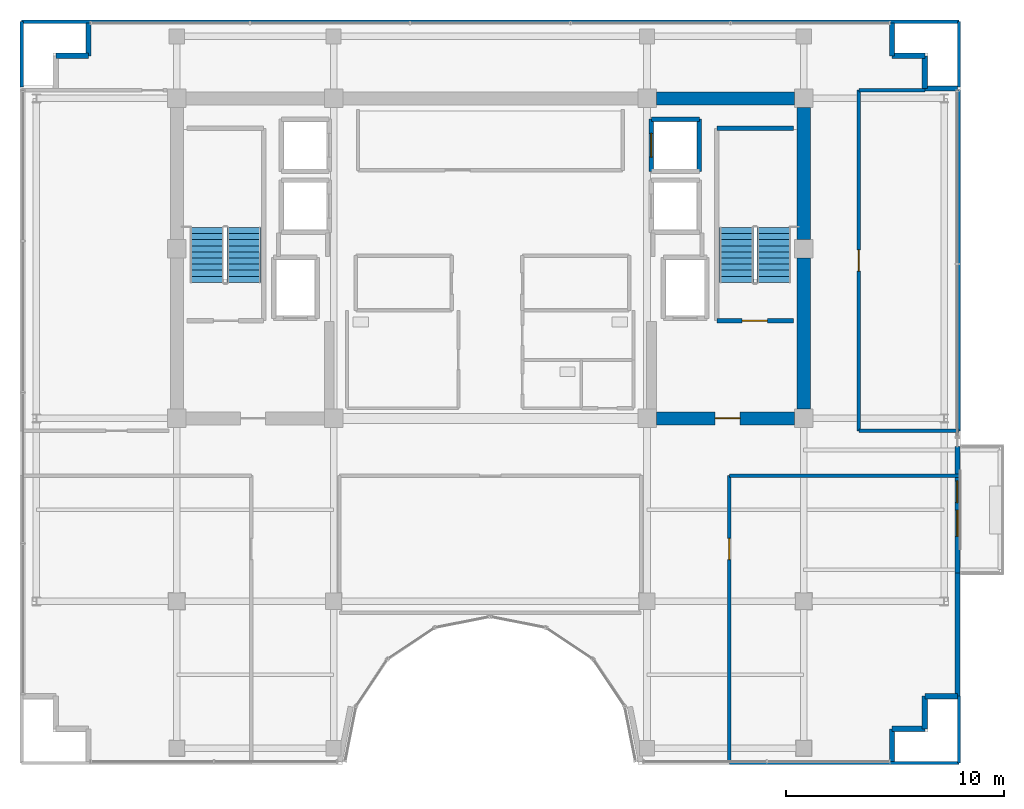
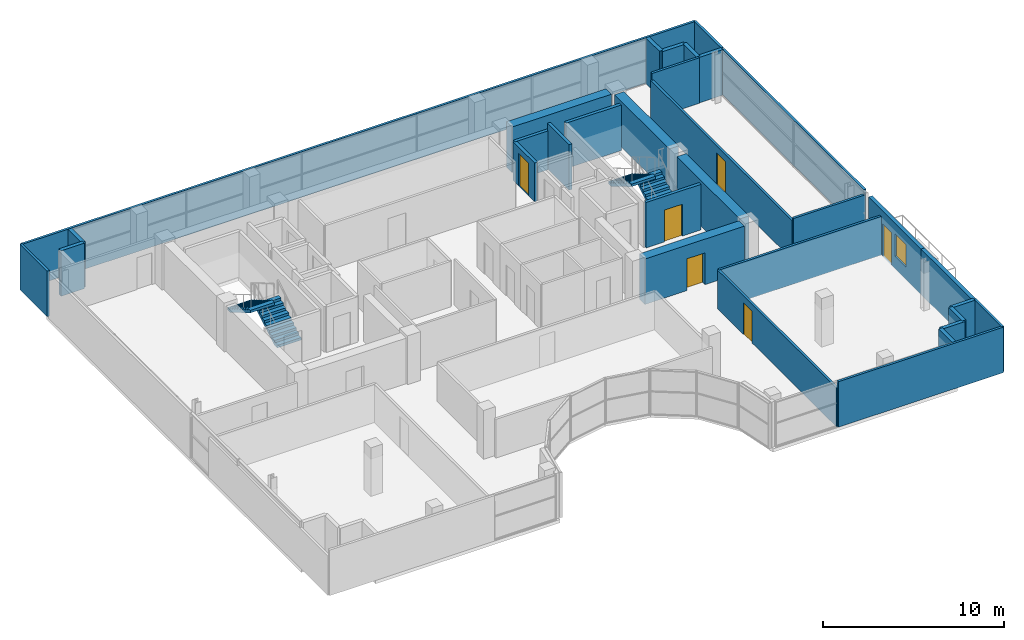
# One storey, part 25 of 29: 32 walls, 6 doors, 4 stair flights, 1 window, 7 openings, 2 elements without a shape of their own.
"""IFC4 building model written with IfcOpenShell, lengths in metres."""

from ifc_helpers import new_model, si_unit, direction, frame, frame_2d, origin, place, context, subcontext, project, spatial, polyline, rectangle, outline, extrude, source, transform, mapped, material, layer, layer_set, type_object, element, fill, aggregate, save


model = new_model("IFC4")

# Units and contexts
model_context = context("Model", 3, precision=1e-05, world=origin(), true_north=direction((0.0, 1.0)))
body_context = subcontext(model_context, "Body", "Model", "MODEL_VIEW")
ifc_project = project(units=[si_unit("LENGTHUNIT", "METRE"), si_unit("AREAUNIT", "SQUARE_METRE"), si_unit("VOLUMEUNIT", "CUBIC_METRE"), si_unit("PLANEANGLEUNIT", "RADIAN"), si_unit("MASSUNIT", "GRAM", prefix="KILO")], contexts=[model_context])

# Site, building, storey
site_placement = place(None, origin())
site = spatial("IfcSite", under=ifc_project, at=site_placement, CompositionType="ELEMENT")
building_placement = place(site_placement, origin())
building = spatial("IfcBuilding", under=site, at=building_placement, Name="Zarnakvel Exchange Tower", CompositionType="ELEMENT")
storey_placement = place(building_placement, frame((0.0, 0.0, 265.0)))
storey = spatial("IfcBuildingStorey", under=building, at=storey_placement, Name="L75", CompositionType="ELEMENT", Elevation=265.0)

# Walls
ifc_material_1 = material(Name="Concrete C50/60", Category="concrete")
ifc_layer_1 = layer(ifc_material_1, 0.60009765625)
ifc_layer_set_1 = layer_set([ifc_layer_1], Name="Concrete C50/60")
wall_type_1 = type_object("IfcWallType", Name="CW-C5", PredefinedType="SHEAR", material=ifc_layer_set_1)
wall_1_placement = place(storey_placement, frame((7.625, 13.5, 0.0), z_axis=(0.0, 0.0, 1.0), x_axis=(1.0, 0.0, 0.0)))
element("IfcWall", 1, at=wall_1_placement, inside=storey, type_object=wall_type_1, Name="L75 Rear Core Shear Wall N3 (CW-C5)", PredefinedType="SHEAR", context=body_context, shape_type="SweptSolid", body=[
    extrude(rectangle(XDim=6.35009765625, YDim=0.60009765625, at=frame_2d((3.175048828125, 0.0))), origin(), (0.0, 0.0, 1.0), 3.074951171875),
])
wall_2_placement = place(storey_placement, frame((14.39990234375, -0.77490234375, 0.0), z_axis=(0.0, 0.0, 1.0), x_axis=(0.0, 1.0, 0.0)))
element("IfcWall", 2, at=wall_2_placement, inside=storey, type_object=wall_type_1, Name="L75 Rear Core Shear Wall E1 (CW-C5)", PredefinedType="SHEAR", context=body_context, shape_type="SweptSolid", body=[
    extrude(rectangle(XDim=6.949951171875, YDim=0.60009765625, at=frame_2d((3.47509765625, 0.0))), origin(), (0.0, 0.0, 1.0), 3.074951171875),
])
wall_3_placement = place(storey_placement, frame((14.39990234375, 7.02490234375, 0.0), z_axis=(0.0, 0.0, 1.0), x_axis=(0.0, 1.0, 0.0)))
element("IfcWall", 3, at=wall_3_placement, inside=storey, type_object=wall_type_1, Name="L75 Rear Core Shear Wall E2 (CW-C5)", PredefinedType="SHEAR", context=body_context, shape_type="SweptSolid", body=[
    extrude(rectangle(XDim=6.050048828125, YDim=0.60009765625, at=frame_2d((3.02490234375, 0.0))), origin(), (0.0, 0.0, 1.0), 3.074951171875),
])

# Wall, opening, door
wall_4_placement = place(storey_placement, frame((13.97509765625, -1.199951171875, 0.0), z_axis=(0.0, 0.0, 1.0), x_axis=(-1.0, 0.0, 0.0)))
wall_4 = element("IfcWall", 4, at=wall_4_placement, inside=storey, type_object=wall_type_1, Name="L75 Rear Core Shear Wall SE (CW-C5)", PredefinedType="SHEAR", context=body_context, shape_type="SweptSolid", body=[
    extrude(rectangle(XDim=6.35009765625, YDim=0.60009765625, at=frame_2d((3.175048828125, 0.0))), origin(), (0.0, 0.0, 1.0), 3.074951171875),
])
opening_1_placement = place(wall_4_placement, frame((2.5, 0.0, 0.0)))
opening_1 = element("IfcOpeningElement", 5, at=opening_1_placement, cuts=wall_4, Name="Opening D-L75-04", PredefinedType="OPENING", context=body_context, shape_type="SweptSolid", body=[
    extrude(rectangle(XDim=1.14990234375, YDim=2.14990234375, at=frame_2d((0.574951171875, 1.074951171875))), frame((0.0, 0.31005859375, 0.0), z_axis=(0.0, -1.0, 0.0), x_axis=(1.0, 0.0, 0.0)), (0.0, 0.0, 1.0), 0.6201171875),
])
ifc_material_2 = material(Name="Painted Galvanised Steel S355", Category="steel")
door_type_1 = type_object("IfcDoorType", Name="DT-04", OperationType="NOTDEFINED", PredefinedType="DOOR", material=ifc_material_2)
shared_shape_1 = source(origin(), body_context, "Body", "SweptSolid", [
    extrude(rectangle(XDim=1.14990234375, YDim=2.14990234375, at=frame_2d((0.574951171875, 1.074951171875))), frame((0.0, 0.02490234375, 0.0), z_axis=(0.0, -1.0, 0.0), x_axis=(1.0, 0.0, 0.0)), (0.0, 0.0, 1.0), 0.050048828125),
])
door_1_placement = place(opening_1_placement, origin())
door_1 = element("IfcDoor", 6, at=door_1_placement, inside=storey, type_object=door_type_1, Name="L75 Firefighting Lobby East Door D-L75-04", OperationType="SINGLE_SWING_RIGHT", OverallHeight=2.14990234375, OverallWidth=1.14990234375, PredefinedType="DOOR", context=body_context, shape_type="MappedRepresentation", body=[
    mapped(shared_shape_1, transform((0.0, 0.0, 0.0), x_axis=(1.0, 0.0, 0.0), y_axis=(0.0, 1.0, 0.0), z_axis=(0.0, 0.0, 1.0), scale=1.0)),
])
fill(opening_1, door_1)

# Wall, openings, door, window
ifc_material_3 = material(Name="Precast concrete C40/50", Category="concrete")
ifc_layer_2 = layer(ifc_material_3, 0.239990234375)
ifc_layer_set_2 = layer_set([ifc_layer_2], Name="Precast concrete C40/50")
wall_type_2 = type_object("IfcWallType", Name="EW-02", PredefinedType="SOLIDWALL", material=ifc_layer_set_2)
wall_5_placement = place(storey_placement, frame((21.4599609375, -2.5, 0.0), z_axis=(0.0, 0.0, 1.0), x_axis=(0.0, -1.0, 0.0)))
wall_5 = element("IfcWall", 7, at=wall_5_placement, inside=storey, type_object=wall_type_2, Name="L75 Exterior Precast Spandrel Wall EW-BAL-L75-E (EW-02)", PredefinedType="SOLIDWALL", context=body_context, shape_type="SweptSolid", body=[
    extrude(rectangle(XDim=5.800048828125, YDim=0.239990234375, at=frame_2d((2.89990234375, 0.0))), origin(), (0.0, 0.0, 1.0), 3.074951171875),
])
opening_2_placement = place(wall_5_placement, frame((1.56591796875, 0.0, 0.0)))
opening_2 = element("IfcOpeningElement", 8, at=opening_2_placement, cuts=wall_5, Name="Opening BD-L75-01", PredefinedType="OPENING", context=body_context, shape_type="SweptSolid", body=[
    extrude(rectangle(XDim=1.0, YDim=2.199951171875, at=frame_2d((0.5, 1.10009765625))), frame((0.0, 0.1298828125, 0.0), z_axis=(0.0, -1.0, 0.0), x_axis=(1.0, 0.0, 0.0)), (0.0, 0.0, 1.0), 0.260009765625),
])
opening_3_placement = place(wall_5_placement, frame((2.916015625, 0.0, 0.85009765625)))
opening_3 = element("IfcOpeningElement", 9, at=opening_3_placement, cuts=wall_5, Name="Opening WN-04", PredefinedType="OPENING", context=body_context, shape_type="SweptSolid", body=[
    extrude(rectangle(XDim=1.199951171875, YDim=1.5, at=frame_2d((0.60009765625, 0.75))), frame((0.0, 0.1298828125, 0.0), z_axis=(0.0, -1.0, 0.0), x_axis=(1.0, 0.0, 0.0)), (0.0, 0.0, 1.0), 0.260009765625),
])
ifc_material_4 = material(Name="Architectural Bronze Anodised Aluminium", Category="aluminium")
door_type_2 = type_object("IfcDoorType", Name="DT-09", OperationType="NOTDEFINED", PredefinedType="DOOR", material=ifc_material_4)
shared_shape_2 = source(origin(), body_context, "Body", "SweptSolid", [
    extrude(rectangle(XDim=1.0, YDim=2.199951171875, at=frame_2d((0.5, 1.10009765625))), frame((0.0, 0.02490234375, 0.0), z_axis=(0.0, -1.0, 0.0), x_axis=(1.0, 0.0, 0.0)), (0.0, 0.0, 1.0), 0.050048828125),
])
door_2_placement = place(opening_2_placement, origin())
door_2 = element("IfcDoor", 10, at=door_2_placement, inside=storey, type_object=door_type_2, Name="L75 Planted Loggia Balcony Door BD-L75-01", OperationType="SINGLE_SWING_LEFT", OverallHeight=2.199951171875, OverallWidth=1.0, PredefinedType="DOOR", context=body_context, shape_type="MappedRepresentation", body=[
    mapped(shared_shape_2, transform((0.0, 0.0, 0.0), x_axis=(1.0, 0.0, 0.0), y_axis=(0.0, 1.0, 0.0), z_axis=(0.0, 0.0, 1.0), scale=1.0)),
])
fill(opening_2, door_2)
ifc_material_5 = material(Name="Double Low-E Laminated Vision Glass", Category="glass")
window_type = type_object("IfcWindowType", Name="WN-04", PartitioningType="SINGLE_PANEL", PredefinedType="WINDOW", material=ifc_material_5)
shared_shape_3 = source(origin(), body_context, "Body", "SweptSolid", [
    extrude(rectangle(XDim=1.199951171875, YDim=1.5, at=frame_2d((0.60009765625, 0.75))), frame((0.0, 0.030029296875, 0.0), z_axis=(0.0, -1.0, 0.0), x_axis=(1.0, 0.0, 0.0)), (0.0, 0.0, 1.0), 0.06005859375),
])
window_placement = place(opening_3_placement, origin())
window = element("IfcWindow", 11, at=window_placement, inside=storey, type_object=window_type, Name="L75 Loggia Daylight Window (WN-04)", OverallHeight=1.5, OverallWidth=1.199951171875, PartitioningType="SINGLE_PANEL", PredefinedType="WINDOW", context=body_context, shape_type="MappedRepresentation", body=[
    mapped(shared_shape_3, transform((0.0, 0.0, 0.0), x_axis=(1.0, 0.0, 0.0), y_axis=(0.0, 1.0, 0.0), z_axis=(0.0, 0.0, 1.0), scale=1.0)),
])
fill(opening_3, window)

# Walls
for number, where, z_axis, x_axis, name in (
    (12, (-18.4599609375, 15.4599609375, 0.0), (0.0, 0.0, 1.0), (-1.0, 0.0, 0.0), "L75 Exterior Precast Spandrel Wall EWC-L75-03 (EW-02)"),
    (13, (-18.4599609375, 16.9599609375, 0.0), (0.0, 0.0, 1.0), (0.0, -1.0, 0.0), "L75 Exterior Precast Spandrel Wall EWC-L75-04 (EW-02)"),
    (14, (18.4599609375, 15.4599609375, 0.0), (0.0, 0.0, 1.0), (0.0, 1.0, 0.0), "L75 Exterior Precast Spandrel Wall EWC-L75-05 (EW-02)"),
    (15, (19.9599609375, 15.4599609375, 0.0), (0.0, 0.0, 1.0), (-1.0, 0.0, 0.0), "L75 Exterior Precast Spandrel Wall EWC-L75-06 (EW-02)"),
    (16, (19.9599609375, 13.9599609375, 0.0), (0.0, 0.0, 1.0), (0.0, 1.0, 0.0), "L75 Exterior Precast Spandrel Wall EWC-L75-07 (EW-02)"),
    (17, (21.4599609375, 13.9599609375, 0.0), (0.0, 0.0, 1.0), (-1.0, 0.0, 0.0), "L75 Exterior Precast Spandrel Wall EWC-L75-08 (EW-02)"),
):
    element("IfcWall", number, at=place(storey_placement, frame(where, z_axis=z_axis, x_axis=x_axis)), inside=storey, type_object=wall_type_2, Name=name, PredefinedType="SOLIDWALL", context=body_context, shape_type="SweptSolid", body=[
        extrude(rectangle(XDim=1.5, YDim=0.239990234375, at=frame_2d((0.75, 0.0))), origin(), (0.0, 0.0, 1.0), 3.074951171875),
    ])
wall_6_placement = place(storey_placement, frame((21.4599609375, -13.9599609375, 0.0), z_axis=(0.0, 0.0, 1.0), x_axis=(0.0, 1.0, 0.0)))
element("IfcWall", 18, at=wall_6_placement, inside=storey, type_object=wall_type_2, Name="L75 Exterior Precast Spandrel Wall EWC-L75-10 (EW-02)", PredefinedType="SOLIDWALL", context=body_context, shape_type="SweptSolid", body=[
    extrude(rectangle(XDim=5.659912109375, YDim=0.239990234375, at=frame_2d((2.830078125, 0.0))), origin(), (0.0, 0.0, 1.0), 3.074951171875),
])
for number, where, z_axis, x_axis, name in (
    (19, (19.9599609375, -13.9599609375, 0.0), (0.0, 0.0, 1.0), (1.0, 0.0, 0.0), "L75 Exterior Precast Spandrel Wall EWC-L75-11 (EW-02)"),
    (20, (19.9599609375, -15.4599609375, 0.0), (0.0, 0.0, 1.0), (0.0, 1.0, 0.0), "L75 Exterior Precast Spandrel Wall EWC-L75-12 (EW-02)"),
    (21, (18.4599609375, -15.4599609375, 0.0), (0.0, 0.0, 1.0), (1.0, 0.0, 0.0), "L75 Exterior Precast Spandrel Wall EWC-L75-13 (EW-02)"),
    (22, (18.4599609375, -16.9599609375, 0.0), (0.0, 0.0, 1.0), (0.0, 1.0, 0.0), "L75 Exterior Precast Spandrel Wall EWC-L75-14 (EW-02)"),
):
    element("IfcWall", number, at=place(storey_placement, frame(where, z_axis=z_axis, x_axis=x_axis)), inside=storey, type_object=wall_type_2, Name=name, PredefinedType="SOLIDWALL", context=body_context, shape_type="SweptSolid", body=[
        extrude(rectangle(XDim=1.5, YDim=0.239990234375, at=frame_2d((0.75, 0.0))), origin(), (0.0, 0.0, 1.0), 3.074951171875),
    ])
ifc_material_6 = material(Name="Fire-Rated Gypsum Stud Partition", Category="gypsum")
ifc_layer_3 = layer(ifc_material_6, 0.14990234375)
ifc_layer_set_3 = layer_set([ifc_layer_3], Name="Fire-Rated Gypsum Stud Partition")
wall_type_3 = type_object("IfcWallType", Name="PT-01", PredefinedType="PARTITIONING", material=ifc_layer_set_3)
wall_7_placement = place(storey_placement, frame((21.530029296875, -17.030029296875, 0.0), z_axis=(0.0, 0.0, 1.0), x_axis=(-1.0, 0.0, 0.0)))
element("IfcWall", 23, at=wall_7_placement, inside=storey, type_object=wall_type_3, Name="L75 Partition Wall PWALL-L75-037 (PT-01)", PredefinedType="PARTITIONING", context=body_context, shape_type="SweptSolid", body=[
    extrude(rectangle(XDim=10.550048828125, YDim=0.14990234375, at=frame_2d((5.27490234375, 0.0))), origin(), (0.0, 0.0, 1.0), 3.074951171875),
])
wall_8_placement = place(storey_placement, frame((10.97998046875, -3.830078125, 0.0), z_axis=(0.0, 0.0, 1.0), x_axis=(1.0, 0.0, 0.0)))
element("IfcWall", 24, at=wall_8_placement, inside=storey, type_object=wall_type_3, Name="L75 Partition Wall PWALL-L75-038 (PT-01)", PredefinedType="PARTITIONING", context=body_context, shape_type="SweptSolid", body=[
    extrude(rectangle(XDim=10.550048828125, YDim=0.14990234375, at=frame_2d((5.27490234375, 0.0))), origin(), (0.0, 0.0, 1.0), 2.614990234375),
])

# Wall, opening, door
wall_9_placement = place(storey_placement, frame((10.97998046875, -17.030029296875, 0.0), z_axis=(0.0, 0.0, 1.0), x_axis=(0.0, 1.0, 0.0)))
wall_9 = element("IfcWall", 25, at=wall_9_placement, inside=storey, type_object=wall_type_3, Name="L75 Partition Wall PWALL-L75-039 (PT-01)", PredefinedType="PARTITIONING", context=body_context, shape_type="SweptSolid", body=[
    extrude(rectangle(XDim=13.199951171875, YDim=0.14990234375, at=frame_2d((6.60009765625, 0.0))), origin(), (0.0, 0.0, 1.0), 2.614990234375),
])
opening_4_placement = place(wall_9_placement, frame((9.340087890625, 0.0, 0.0)))
opening_4 = element("IfcOpeningElement", 26, at=opening_4_placement, cuts=wall_9, Name="Opening D-L75-13", PredefinedType="OPENING", context=body_context, shape_type="SweptSolid", body=[
    extrude(rectangle(XDim=0.97998046875, YDim=2.14990234375, at=frame_2d((0.489990234375, 1.074951171875))), frame((0.0, 0.0849609375, 0.0), z_axis=(0.0, -1.0, 0.0), x_axis=(1.0, 0.0, 0.0)), (0.0, 0.0, 1.0), 0.169921875),
])
ifc_material_7 = material(Name="Timber Acoustic Veneer", Category="wood")
door_type_3 = type_object("IfcDoorType", Name="DT-05", OperationType="NOTDEFINED", PredefinedType="DOOR", material=ifc_material_7)
shared_shape_4 = source(origin(), body_context, "Body", "SweptSolid", [
    extrude(rectangle(XDim=0.97998046875, YDim=2.14990234375, at=frame_2d((0.489990234375, 1.074951171875))), frame((0.0, 0.02490234375, 0.0), z_axis=(0.0, -1.0, 0.0), x_axis=(1.0, 0.0, 0.0)), (0.0, 0.0, 1.0), 0.050048828125),
])
door_3_placement = place(opening_4_placement, origin())
door_3 = element("IfcDoor", 27, at=door_3_placement, inside=storey, type_object=door_type_3, Name="L75 Seminar Room Door D-L75-13", OperationType="SINGLE_SWING_LEFT", OverallHeight=2.14990234375, OverallWidth=0.97998046875, PredefinedType="DOOR", context=body_context, shape_type="MappedRepresentation", body=[
    mapped(shared_shape_4, transform((0.0, 0.0, 0.0), x_axis=(1.0, 0.0, 0.0), y_axis=(0.0, 1.0, 0.0), z_axis=(0.0, 0.0, 1.0), scale=1.0)),
])
fill(opening_4, door_3)

# Walls
wall_10_placement = place(storey_placement, frame((21.530029296875, -13.9599609375, 0.0), z_axis=(0.0, 0.0, 1.0), x_axis=(0.0, -1.0, 0.0)))
element("IfcWall", 28, at=wall_10_placement, inside=storey, type_object=wall_type_3, Name="L75 Partition Wall PWALL-L75-040 (PT-01)", PredefinedType="PARTITIONING", context=body_context, shape_type="SweptSolid", body=[
    extrude(rectangle(XDim=3.070068359375, YDim=0.14990234375, at=frame_2d((1.53515625, 0.0))), origin(), (0.0, 0.0, 1.0), 3.074951171875),
])
wall_11_placement = place(storey_placement, frame((21.530029296875, -1.77001953125, 0.0), z_axis=(0.0, 0.0, 1.0), x_axis=(-1.0, 0.0, 0.0)))
element("IfcWall", 29, at=wall_11_placement, inside=storey, type_object=wall_type_3, Name="L75 Partition Wall PWALL-L75-048 (PT-01)", PredefinedType="PARTITIONING", context=body_context, shape_type="SweptSolid", body=[
    extrude(rectangle(XDim=4.60009765625, YDim=0.14990234375, at=frame_2d((2.300048828125, 0.0))), origin(), (0.0, 0.0, 1.0), 2.764892578125),
])
wall_12_placement = place(storey_placement, frame((16.929931640625, 13.8798828125, 0.0), z_axis=(0.0, 0.0, 1.0), x_axis=(1.0, 0.0, 0.0)))
element("IfcWall", 30, at=wall_12_placement, inside=storey, type_object=wall_type_3, Name="L75 Partition Wall PWALL-L75-049 (PT-01)", PredefinedType="PARTITIONING", context=body_context, shape_type="SweptSolid", body=[
    extrude(rectangle(XDim=3.030029296875, YDim=0.14990234375, at=frame_2d((1.51513671875, 0.0))), origin(), (0.0, 0.0, 1.0), 3.074951171875),
])

# Wall, opening, door
wall_13_placement = place(storey_placement, frame((16.929931640625, -1.77001953125, 0.0), z_axis=(0.0, 0.0, 1.0), x_axis=(0.0, 1.0, 0.0)))
wall_13 = element("IfcWall", 31, at=wall_13_placement, inside=storey, type_object=wall_type_3, Name="L75 Partition Wall PWALL-L75-050 (PT-01)", PredefinedType="PARTITIONING", context=body_context, shape_type="SweptSolid", body=[
    extrude(rectangle(XDim=15.64990234375, YDim=0.14990234375, at=frame_2d((7.824951171875, 0.0))), origin(), (0.0, 0.0, 1.0), 2.614990234375),
])
opening_5_placement = place(wall_13_placement, frame((7.3349609375, 0.0, 0.0)))
opening_5 = element("IfcOpeningElement", 32, at=opening_5_placement, cuts=wall_13, Name="Opening D-L75-16", PredefinedType="OPENING", context=body_context, shape_type="SweptSolid", body=[
    extrude(rectangle(XDim=0.97998046875, YDim=2.14990234375, at=frame_2d((0.489990234375, 1.074951171875))), frame((0.0, 0.0849609375, 0.0), z_axis=(0.0, -1.0, 0.0), x_axis=(1.0, 0.0, 0.0)), (0.0, 0.0, 1.0), 0.169921875),
])
door_4_placement = place(opening_5_placement, origin())
door_4 = element("IfcDoor", 33, at=door_4_placement, inside=storey, type_object=door_type_3, Name="L75 Tea Pantry Door D-L75-16", OperationType="SINGLE_SWING_RIGHT", OverallHeight=2.14990234375, OverallWidth=0.97998046875, PredefinedType="DOOR", context=body_context, shape_type="MappedRepresentation", body=[
    mapped(shared_shape_4, transform((0.0, 0.0, 0.0), x_axis=(1.0, 0.0, 0.0), y_axis=(0.0, 1.0, 0.0), z_axis=(0.0, 0.0, 1.0), scale=1.0)),
])
fill(opening_5, door_4)

# Walls
wall_14_placement = place(storey_placement, frame((21.530029296875, 13.8798828125, 0.0), z_axis=(0.0, 0.0, 1.0), x_axis=(0.0, -1.0, 0.0)))
element("IfcWall", 34, at=wall_14_placement, inside=storey, type_object=wall_type_3, Name="L75 Partition Wall PWALL-L75-051 (PT-01)", PredefinedType="PARTITIONING", context=body_context, shape_type="SweptSolid", body=[
    extrude(rectangle(XDim=15.64990234375, YDim=0.14990234375, at=frame_2d((7.824951171875, 0.0))), origin(), (0.0, 0.0, 1.0), 3.074951171875),
])
wall_15_placement = place(storey_placement, frame((-21.530029296875, 17.030029296875, 0.0), z_axis=(0.0, 0.0, 1.0), x_axis=(1.0, 0.0, 0.0)))
element("IfcWall", 35, at=wall_15_placement, inside=storey, type_object=wall_type_3, Name="L75 Partition Wall PWALL-L75-052 (PT-01)", PredefinedType="PARTITIONING", context=body_context, shape_type="SweptSolid", body=[
    extrude(rectangle(XDim=43.06005859375, YDim=0.14990234375, at=frame_2d((21.530029296875, 0.0))), origin(), (0.0, 0.0, 1.0), 3.074951171875),
])
for number, where, z_axis, x_axis, name in (
    (36, (-21.530029296875, 14.030029296875, 0.0), (0.0, 0.0, 1.0), (0.0, 1.0, 0.0), "L75 Partition Wall PWALL-L75-053 (PT-01)"),
    (37, (21.530029296875, 17.030029296875, 0.0), (0.0, 0.0, 1.0), (0.0, -1.0, 0.0), "L75 Partition Wall PWALL-L75-054 (PT-01)"),
):
    element("IfcWall", number, at=place(storey_placement, frame(where, z_axis=z_axis, x_axis=x_axis)), inside=storey, type_object=wall_type_3, Name=name, PredefinedType="PARTITIONING", context=body_context, shape_type="SweptSolid", body=[
        extrude(rectangle(XDim=3.0, YDim=0.14990234375, at=frame_2d((1.5, 0.0))), origin(), (0.0, 0.0, 1.0), 3.074951171875),
    ])
ifc_material_8 = material(Name="Concrete C40/50", Category="concrete")
ifc_layer_4 = layer(ifc_material_8, 0.199951171875)
ifc_layer_set_4 = layer_set([ifc_layer_4], Name="Concrete C40/50")
wall_type_4 = type_object("IfcWallType", Name="SW-01", PredefinedType="SOLIDWALL", material=ifc_layer_set_4)
wall_16_placement = place(storey_placement, frame((7.39990234375, 12.550048828125, 0.0), z_axis=(0.0, 0.0, 1.0), x_axis=(1.0, 0.0, 0.0)))
element("IfcWall", 38, at=wall_16_placement, inside=storey, type_object=wall_type_4, Name="L75 PL-12 Hoistway Wall North", PredefinedType="SOLIDWALL", context=body_context, shape_type="SweptSolid", body=[
    extrude(rectangle(XDim=2.2001953125, YDim=0.199951171875, at=frame_2d((1.10009765625, 0.0))), origin(), (0.0, 0.0, 1.0), 2.614990234375),
])

# Wall, opening, door
wall_17_placement = place(storey_placement, frame((7.39990234375, 10.14990234375, 0.0), z_axis=(0.0, 0.0, 1.0), x_axis=(0.0, 1.0, 0.0)))
wall_17 = element("IfcWall", 39, at=wall_17_placement, inside=storey, type_object=wall_type_4, Name="L75 PL-12 Hoistway Wall West", PredefinedType="SOLIDWALL", context=body_context, shape_type="SweptSolid", body=[
    extrude(rectangle(XDim=2.400146484375, YDim=0.199951171875, at=frame_2d((1.2001953125, 0.0))), origin(), (0.0, 0.0, 1.0), 2.614990234375),
])
opening_6_placement = place(wall_17_placement, frame((0.64990234375, 0.0, 0.0)))
opening_6 = element("IfcOpeningElement", 40, at=opening_6_placement, cuts=wall_17, Name="Opening LD-PL-12-L75", PredefinedType="OPENING", context=body_context, shape_type="SweptSolid", body=[
    extrude(rectangle(XDim=1.10009765625, YDim=2.199951171875, at=frame_2d((0.550048828125, 1.10009765625))), frame((0.0, 0.10986328125, 0.0), z_axis=(0.0, -1.0, 0.0), x_axis=(1.0, 0.0, 0.0)), (0.0, 0.0, 1.0), 0.219970703125),
])
door_type_4 = type_object("IfcDoorType", Name="LDT-02", OperationType="NOTDEFINED", PredefinedType="DOOR", material=ifc_material_4)
shared_shape_5 = source(origin(), body_context, "Body", "SweptSolid", [
    extrude(rectangle(XDim=1.10009765625, YDim=2.199951171875, at=frame_2d((0.550048828125, 1.10009765625))), frame((0.0, 0.02490234375, 0.0), z_axis=(0.0, -1.0, 0.0), x_axis=(1.0, 0.0, 0.0)), (0.0, 0.0, 1.0), 0.050048828125),
])
door_5_placement = place(opening_6_placement, origin())
door_5 = element("IfcDoor", 41, at=door_5_placement, inside=storey, type_object=door_type_4, Name="L75 PL-12 Lift Landing Door LD-PL-12-L75", OperationType="DOUBLE_DOOR_SLIDING", OverallHeight=2.199951171875, OverallWidth=1.10009765625, PredefinedType="DOOR", context=body_context, shape_type="MappedRepresentation", body=[
    mapped(shared_shape_5, transform((0.0, 0.0, 0.0), x_axis=(1.0, 0.0, 0.0), y_axis=(0.0, 1.0, 0.0), z_axis=(0.0, 0.0, 1.0), scale=1.0)),
])
fill(opening_6, door_5)

# Wall
wall_18_placement = place(storey_placement, frame((9.60009765625, 12.550048828125, 0.0), z_axis=(0.0, 0.0, 1.0), x_axis=(0.0, -1.0, 0.0)))
element("IfcWall", 42, at=wall_18_placement, inside=storey, type_object=wall_type_4, Name="L75 PL-12 Hoistway Wall East", PredefinedType="SOLIDWALL", context=body_context, shape_type="SweptSolid", body=[
    extrude(rectangle(XDim=2.400146484375, YDim=0.199951171875, at=frame_2d((1.2001953125, 0.0))), origin(), (0.0, 0.0, 1.0), 3.074951171875),
])

# Wall, opening, door
ifc_layer_5 = layer(ifc_material_8, 0.199951171875)
ifc_layer_set_5 = layer_set([ifc_layer_5], Name="Concrete C40/50")
wall_type_5 = type_object("IfcWallType", Name="SW-02", PredefinedType="SOLIDWALL", material=ifc_layer_set_5)
wall_19_placement = place(storey_placement, frame((13.929931640625, 3.2900390625, 0.0), z_axis=(0.0, 0.0, 1.0), x_axis=(-1.0, 0.0, 0.0)))
wall_19 = element("IfcWall", 43, at=wall_19_placement, inside=storey, type_object=wall_type_5, Name="L75 Stairwell Core Wall PWALL-L75-004 (SW-02)", PredefinedType="SOLIDWALL", context=body_context, shape_type="SweptSolid", body=[
    extrude(rectangle(XDim=3.52001953125, YDim=0.199951171875, at=frame_2d((1.760009765625, 0.0))), origin(), (0.0, 0.0, 1.0), 3.074951171875),
])
opening_7_placement = place(wall_19_placement, frame((1.205078125, 0.0, 0.0)))
opening_7 = element("IfcOpeningElement", 44, at=opening_7_placement, cuts=wall_19, Name="Opening D-L75-02", PredefinedType="OPENING", context=body_context, shape_type="SweptSolid", body=[
    extrude(rectangle(XDim=1.14990234375, YDim=2.14990234375, at=frame_2d((0.574951171875, 1.074951171875))), frame((0.0, 0.10986328125, 0.0), z_axis=(0.0, -1.0, 0.0), x_axis=(1.0, 0.0, 0.0)), (0.0, 0.0, 1.0), 0.219970703125),
])
door_6_placement = place(opening_7_placement, origin())
door_6 = element("IfcDoor", 45, at=door_6_placement, inside=storey, type_object=door_type_1, Name="L75 Stairwell ST-02 Door D-L75-02", OperationType="SINGLE_SWING_RIGHT", OverallHeight=2.14990234375, OverallWidth=1.14990234375, PredefinedType="DOOR", context=body_context, shape_type="MappedRepresentation", body=[
    mapped(shared_shape_1, transform((0.0, 0.0, 0.0), x_axis=(1.0, 0.0, 0.0), y_axis=(0.0, 1.0, 0.0), z_axis=(0.0, 0.0, 1.0), scale=1.0)),
])
fill(opening_7, door_6)

# Wall
wall_20_placement = place(storey_placement, frame((10.409912109375, 12.1298828125, 0.0), z_axis=(0.0, 0.0, 1.0), x_axis=(1.0, 0.0, 0.0)))
element("IfcWall", 46, at=wall_20_placement, inside=storey, type_object=wall_type_5, Name="L75 Stairwell Core Wall PWALL-L75-005 (SW-02)", PredefinedType="SOLIDWALL", context=body_context, shape_type="SweptSolid", body=[
    extrude(rectangle(XDim=3.52001953125, YDim=0.199951171875, at=frame_2d((1.760009765625, 0.0))), origin(), (0.0, 0.0, 1.0), 3.074951171875),
])

# Stair, stair flights
stair_type = type_object("IfcStairType", Name="STR-01", PredefinedType="HALF_TURN_STAIR", material=ifc_material_8)
stair_1_placement = place(storey_placement, origin())
stair_1 = element("IfcStair", 47, at=stair_1_placement, inside=storey, type_object=stair_type, Name="L75 Protected Core Exit Stair ST-01", PredefinedType="HALF_TURN_STAIR")
stair_flight_type = type_object("IfcStairFlightType", Name="FLT-01", PredefinedType="STRAIGHT", material=ifc_material_8)
stair_flight_1_placement = place(storey_placement, frame((-11.31494140625, 5.050048828125, 0.0), z_axis=(0.0, 0.0, 1.0), x_axis=(0.0, 1.0, 0.0)))
stair_flight_1 = element("IfcStairFlight", 48, at=stair_flight_1_placement, type_object=stair_flight_type, Name="ST-01 flight 1", NumberOfRisers=10, NumberOfTreads=9, PredefinedType="STRAIGHT", RiserHeight=0.165, TreadLength=0.28, context=body_context, shape_type="SweptSolid", body=[
    extrude(outline(polyline([(0.0, 0.0), (0.0, 0.1650390625), (0.280029296875, 0.1650390625), (0.280029296875, 0.330078125), (0.56005859375, 0.330078125), (0.56005859375, 0.4951171875), (0.840087890625, 0.4951171875), (0.840087890625, 0.659912109375), (1.1201171875, 0.659912109375), (1.1201171875, 0.824951171875), (1.39990234375, 0.824951171875), (1.39990234375, 0.989990234375), (1.679931640625, 0.989990234375), (1.679931640625, 1.155029296875), (1.9599609375, 1.155029296875), (1.9599609375, 1.320068359375), (2.239990234375, 1.320068359375), (2.239990234375, 1.485107421875), (2.52001953125, 1.485107421875), (2.52001953125, 1.64990234375), (2.52001953125, 1.31103515625), (0.295166015625, 0.0), (0.0, 0.0)])), frame((0.0, 0.77490234375, 0.0), z_axis=(0.0, -1.0, 0.0), x_axis=(1.0, 0.0, 0.0)), (0.0, 0.0, 1.0), 1.550048828125),
])
stair_flight_2_placement = place(storey_placement, frame((-13.02490234375, 7.570068359375, 1.64990234375), z_axis=(0.0, 0.0, 1.0), x_axis=(0.0, -1.0, 0.0)))
stair_flight_2 = element("IfcStairFlight", 49, at=stair_flight_2_placement, type_object=stair_flight_type, Name="ST-01 flight 2", NumberOfRisers=10, NumberOfTreads=9, PredefinedType="STRAIGHT", RiserHeight=0.165, TreadLength=0.28, context=body_context, shape_type="SweptSolid", body=[
    extrude(outline(polyline([(0.0, 0.0), (0.0, 0.1650390625), (0.280029296875, 0.1650390625), (0.280029296875, 0.330078125), (0.56005859375, 0.330078125), (0.56005859375, 0.4951171875), (0.840087890625, 0.4951171875), (0.840087890625, 0.659912109375), (1.1201171875, 0.659912109375), (1.1201171875, 0.824951171875), (1.39990234375, 0.824951171875), (1.39990234375, 0.989990234375), (1.679931640625, 0.989990234375), (1.679931640625, 1.155029296875), (1.9599609375, 1.155029296875), (1.9599609375, 1.320068359375), (2.239990234375, 1.320068359375), (2.239990234375, 1.485107421875), (2.52001953125, 1.485107421875), (2.52001953125, 1.64990234375), (2.52001953125, 1.31103515625), (0.295166015625, 0.0), (0.0, 0.0)])), frame((0.0, 0.77490234375, 0.0), z_axis=(0.0, -1.0, 0.0), x_axis=(1.0, 0.0, 0.0)), (0.0, 0.0, 1.0), 1.550048828125),
])
aggregate(stair_1, [stair_flight_1, stair_flight_2])

stair_2_placement = place(storey_placement, origin())
stair_2 = element("IfcStair", 50, at=stair_2_placement, inside=storey, type_object=stair_type, Name="L75 Protected Core Exit Stair ST-02", PredefinedType="HALF_TURN_STAIR")
stair_flight_3_placement = place(storey_placement, frame((13.02490234375, 5.050048828125, 0.0), z_axis=(0.0, 0.0, 1.0), x_axis=(0.0, 1.0, 0.0)))
stair_flight_3 = element("IfcStairFlight", 51, at=stair_flight_3_placement, type_object=stair_flight_type, Name="ST-02 flight 1", NumberOfRisers=10, NumberOfTreads=9, PredefinedType="STRAIGHT", RiserHeight=0.165, TreadLength=0.28, context=body_context, shape_type="SweptSolid", body=[
    extrude(outline(polyline([(0.0, 0.0), (0.0, 0.1650390625), (0.280029296875, 0.1650390625), (0.280029296875, 0.330078125), (0.56005859375, 0.330078125), (0.56005859375, 0.4951171875), (0.840087890625, 0.4951171875), (0.840087890625, 0.659912109375), (1.1201171875, 0.659912109375), (1.1201171875, 0.824951171875), (1.39990234375, 0.824951171875), (1.39990234375, 0.989990234375), (1.679931640625, 0.989990234375), (1.679931640625, 1.155029296875), (1.9599609375, 1.155029296875), (1.9599609375, 1.320068359375), (2.239990234375, 1.320068359375), (2.239990234375, 1.485107421875), (2.52001953125, 1.485107421875), (2.52001953125, 1.64990234375), (2.52001953125, 1.31103515625), (0.295166015625, 0.0), (0.0, 0.0)])), frame((0.0, 0.77490234375, 0.0), z_axis=(0.0, -1.0, 0.0), x_axis=(1.0, 0.0, 0.0)), (0.0, 0.0, 1.0), 1.550048828125),
])
stair_flight_4_placement = place(storey_placement, frame((11.31494140625, 7.570068359375, 1.64990234375), z_axis=(0.0, 0.0, 1.0), x_axis=(0.0, -1.0, 0.0)))
stair_flight_4 = element("IfcStairFlight", 52, at=stair_flight_4_placement, type_object=stair_flight_type, Name="ST-02 flight 2", NumberOfRisers=10, NumberOfTreads=9, PredefinedType="STRAIGHT", RiserHeight=0.165, TreadLength=0.28, context=body_context, shape_type="SweptSolid", body=[
    extrude(outline(polyline([(0.0, 0.0), (0.0, 0.1650390625), (0.280029296875, 0.1650390625), (0.280029296875, 0.330078125), (0.56005859375, 0.330078125), (0.56005859375, 0.4951171875), (0.840087890625, 0.4951171875), (0.840087890625, 0.659912109375), (1.1201171875, 0.659912109375), (1.1201171875, 0.824951171875), (1.39990234375, 0.824951171875), (1.39990234375, 0.989990234375), (1.679931640625, 0.989990234375), (1.679931640625, 1.155029296875), (1.9599609375, 1.155029296875), (1.9599609375, 1.320068359375), (2.239990234375, 1.320068359375), (2.239990234375, 1.485107421875), (2.52001953125, 1.485107421875), (2.52001953125, 1.64990234375), (2.52001953125, 1.31103515625), (0.295166015625, 0.0), (0.0, 0.0)])), frame((0.0, 0.77490234375, 0.0), z_axis=(0.0, -1.0, 0.0), x_axis=(1.0, 0.0, 0.0)), (0.0, 0.0, 1.0), 1.550048828125),
])
aggregate(stair_2, [stair_flight_3, stair_flight_4])

save(model, "model.ifc")
